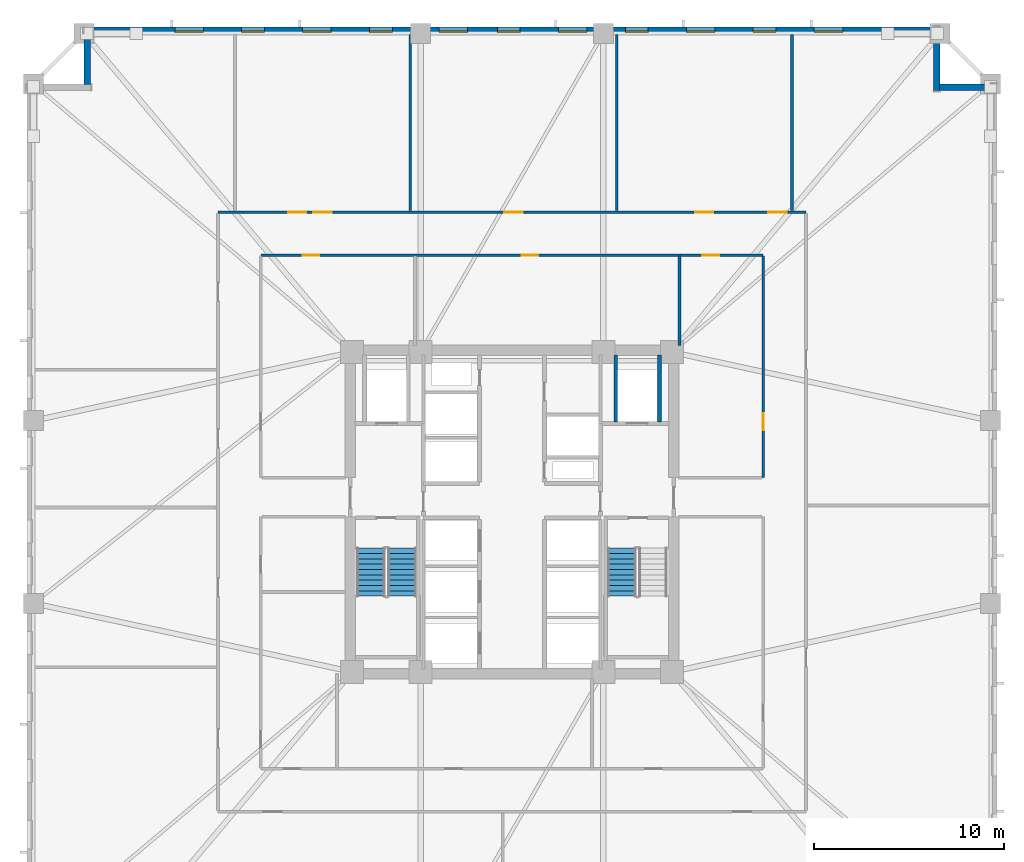
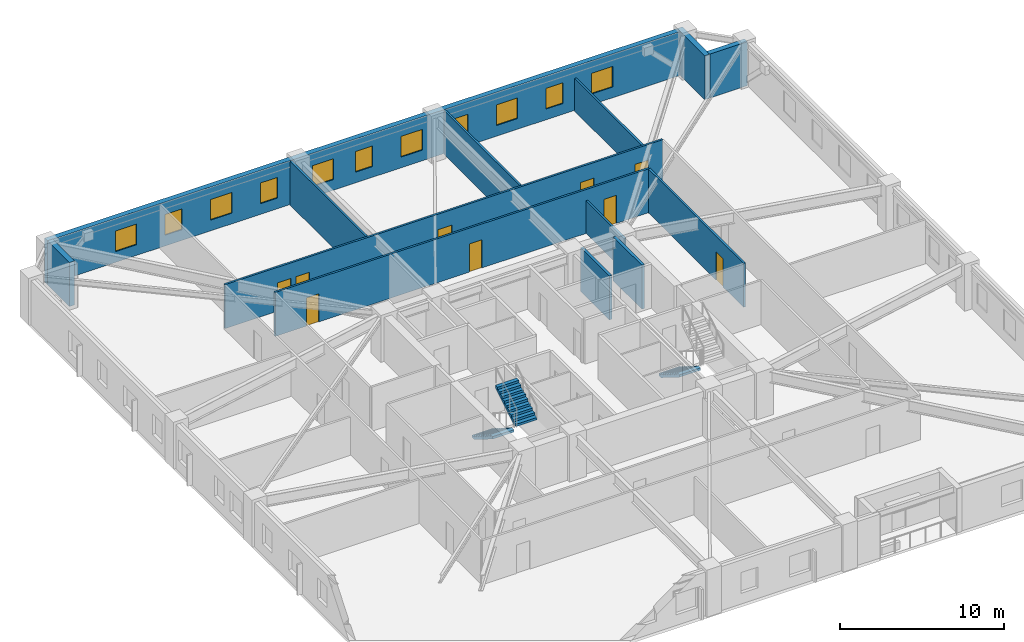
# One storey, part 5 of 11: 13 walls, 11 windows, 9 doors, 3 stair flights, 20 openings, 2 elements without a shape of their own.
"""IFC4 building model written with IfcOpenShell, lengths in metres."""

from ifc_helpers import new_model, si_unit, direction, frame, frame_2d, origin, place, context, subcontext, project, spatial, polyline, rectangle, outline, extrude, material, layer, layer_set, type_object, element, fill, aggregate, save


model = new_model("IFC4")

# Units and contexts
model_context = context("Model", 3, precision=1e-05, world=origin(), true_north=direction((0.0, 1.0)))
body_context = subcontext(model_context, "Body", "Model", "MODEL_VIEW")
ifc_project = project(units=[si_unit("LENGTHUNIT", "METRE"), si_unit("AREAUNIT", "SQUARE_METRE"), si_unit("VOLUMEUNIT", "CUBIC_METRE"), si_unit("PLANEANGLEUNIT", "RADIAN"), si_unit("MASSUNIT", "GRAM", prefix="KILO")], contexts=[model_context])

# Site, building, storey
site_placement = place(None, origin())
site = spatial("IfcSite", under=ifc_project, at=site_placement, CompositionType="ELEMENT")
building_placement = place(site_placement, origin())
building = spatial("IfcBuilding", under=site, at=building_placement, Name="Cairnveth Concourse Tower", CompositionType="ELEMENT")
storey_placement = place(building_placement, frame((0.0, 0.0, 51.5)))
storey = spatial("IfcBuildingStorey", under=building, at=storey_placement, Name="L13", CompositionType="ELEMENT", Elevation=51.5)

# Walls
ifc_material_1 = material(Name="Concrete N50 (50 MPa)", Category="concrete")
ifc_layer_1 = layer(ifc_material_1, 0.199951171875)
ifc_layer_set_1 = layer_set([ifc_layer_1], Name="Concrete N50 (50 MPa)")
wall_type_1 = type_object("IfcWallType", Name="FIRE SHAFT WALL 200", PredefinedType="SOLIDWALL", material=ifc_layer_set_1)
for number, where, z_axis, x_axis, name in (
    (1, (57.449951171875, 43.735107421875, 0.0), (0.0, 0.0, 1.0), (0.0, 1.0, 0.0), "Interior Wall IW-L13-023"),
    (2, (59.75, 43.735107421875, 0.0), (0.0, 0.0, 1.0), (0.0, 1.0, 0.0), "Interior Wall IW-L13-024"),
):
    element("IfcWall", number, at=place(storey_placement, frame(where, z_axis=z_axis, x_axis=x_axis)), inside=storey, type_object=wall_type_1, Name=name, PredefinedType="SOLIDWALL", context=body_context, shape_type="SweptSolid", body=[
        extrude(rectangle(XDim=3.5048828125, YDim=0.199951171875, at=frame_2d((1.75244140625, 0.0))), origin(), (0.0, 0.0, 1.0), 3.280029296875),
    ])

# Wall, openings, doors
ifc_material_2 = material(Name="Gypsum Plasterboard Partition", Category="gypsum")
ifc_layer_2 = layer(ifc_material_2, 0.139892578125)
ifc_layer_set_2 = layer_set([ifc_layer_2], Name="Gypsum Plasterboard Partition")
wall_type_2 = type_object("IfcWallType", Name="GYPSUM STUD PARTITION 140", PredefinedType="PARTITIONING", material=ifc_layer_set_2)
wall_1_placement = place(storey_placement, frame((36.550048828125, 54.75, 0.0), z_axis=(0.0, 0.0, 1.0), x_axis=(1.0, 0.0, 0.0)))
wall_1 = element("IfcWall", 3, at=wall_1_placement, inside=storey, type_object=wall_type_2, Name="Interior Wall IW-L13-038", PredefinedType="PARTITIONING", context=body_context, shape_type="SweptSolid", body=[
    extrude(rectangle(XDim=30.89990234375, YDim=0.139892578125, at=frame_2d((15.449951171875, 0.0))), origin(), (0.0, 0.0, 1.0), 3.280029296875),
])
opening_1_placement = place(wall_1_placement, frame((3.690185546875, 0.0, 0.0)))
opening_1 = element("IfcOpeningElement", 4, at=opening_1_placement, cuts=wall_1, Name="Opening ID11", PredefinedType="OPENING", context=body_context, shape_type="SweptSolid", body=[
    extrude(rectangle(XDim=0.9599609375, YDim=2.1201171875, at=frame_2d((0.47998046875, 1.06005859375))), frame((0.0, 0.079833984375, 0.0), z_axis=(0.0, -1.0, 0.0), x_axis=(1.0, 0.0, 0.0)), (0.0, 0.0, 1.0), 0.159912109375),
])
opening_2_placement = place(wall_1_placement, frame((5.012939453125, 0.0, 0.0)))
opening_2 = element("IfcOpeningElement", 5, at=opening_2_placement, cuts=wall_1, Name="Opening ID11", PredefinedType="OPENING", context=body_context, shape_type="SweptSolid", body=[
    extrude(rectangle(XDim=0.9599609375, YDim=2.1201171875, at=frame_2d((0.47998046875, 1.06005859375))), frame((0.0, 0.079833984375, 0.0), z_axis=(0.0, -1.0, 0.0), x_axis=(1.0, 0.0, 0.0)), (0.0, 0.0, 1.0), 0.159912109375),
])
opening_3_placement = place(wall_1_placement, frame((15.044921875, 0.0, 0.0)))
opening_3 = element("IfcOpeningElement", 6, at=opening_3_placement, cuts=wall_1, Name="Opening ID11", PredefinedType="OPENING", context=body_context, shape_type="SweptSolid", body=[
    extrude(rectangle(XDim=0.9599609375, YDim=2.1201171875, at=frame_2d((0.47998046875, 1.06005859375))), frame((0.0, 0.079833984375, 0.0), z_axis=(0.0, -1.0, 0.0), x_axis=(1.0, 0.0, 0.0)), (0.0, 0.0, 1.0), 0.159912109375),
])
opening_4_placement = place(wall_1_placement, frame((25.076904296875, 0.0, 0.0)))
opening_4 = element("IfcOpeningElement", 7, at=opening_4_placement, cuts=wall_1, Name="Opening ID11", PredefinedType="OPENING", context=body_context, shape_type="SweptSolid", body=[
    extrude(rectangle(XDim=0.9599609375, YDim=2.1201171875, at=frame_2d((0.47998046875, 1.06005859375))), frame((0.0, 0.079833984375, 0.0), z_axis=(0.0, -1.0, 0.0), x_axis=(1.0, 0.0, 0.0)), (0.0, 0.0, 1.0), 0.159912109375),
])
opening_5_placement = place(wall_1_placement, frame((28.919921875, 0.0, 0.0)))
opening_5 = element("IfcOpeningElement", 8, at=opening_5_placement, cuts=wall_1, Name="Opening ID11", PredefinedType="OPENING", context=body_context, shape_type="SweptSolid", body=[
    extrude(rectangle(XDim=0.9599609375, YDim=2.1201171875, at=frame_2d((0.47998046875, 1.06005859375))), frame((0.0, 0.079833984375, 0.0), z_axis=(0.0, -1.0, 0.0), x_axis=(1.0, 0.0, 0.0)), (0.0, 0.0, 1.0), 0.159912109375),
])
ifc_material_3 = material(Name="Solid Core Hardwood Timber Leaf", Category="wood")
door_type_1 = type_object("IfcDoorType", Name="INTERIOR SINGLE DOOR 960X2150", OperationType="NOTDEFINED", PredefinedType="DOOR", material=ifc_material_3)
door_1_placement = place(opening_1_placement, origin())
door_1 = element("IfcDoor", 9, at=door_1_placement, inside=storey, type_object=door_type_1, Name="Office Door L13-N1", OperationType="SINGLE_SWING_RIGHT", OverallHeight=2.1201171875, OverallWidth=0.9599609375, PredefinedType="DOOR", context=body_context, shape_type="SweptSolid", body=[
    extrude(rectangle(XDim=0.9599609375, YDim=2.1201171875, at=frame_2d((0.47998046875, 1.06005859375))), frame((0.0, 0.02490234375, 0.0), z_axis=(0.0, -1.0, 0.0), x_axis=(1.0, 0.0, 0.0)), (0.0, 0.0, 1.0), 0.050048828125),
])
fill(opening_1, door_1)
door_2_placement = place(opening_2_placement, origin())
door_2 = element("IfcDoor", 10, at=door_2_placement, inside=storey, type_object=door_type_1, Name="Office Door L13-N2", OperationType="SINGLE_SWING_LEFT", OverallHeight=2.1201171875, OverallWidth=0.9599609375, PredefinedType="DOOR", context=body_context, shape_type="SweptSolid", body=[
    extrude(rectangle(XDim=0.9599609375, YDim=2.1201171875, at=frame_2d((0.47998046875, 1.06005859375))), frame((0.0, 0.02490234375, 0.0), z_axis=(0.0, -1.0, 0.0), x_axis=(1.0, 0.0, 0.0)), (0.0, 0.0, 1.0), 0.050048828125),
])
fill(opening_2, door_2)
door_3_placement = place(opening_3_placement, origin())
door_3 = element("IfcDoor", 11, at=door_3_placement, inside=storey, type_object=door_type_1, Name="Office Door L13-N3", OperationType="SINGLE_SWING_RIGHT", OverallHeight=2.1201171875, OverallWidth=0.9599609375, PredefinedType="DOOR", context=body_context, shape_type="SweptSolid", body=[
    extrude(rectangle(XDim=0.9599609375, YDim=2.1201171875, at=frame_2d((0.47998046875, 1.06005859375))), frame((0.0, 0.02490234375, 0.0), z_axis=(0.0, -1.0, 0.0), x_axis=(1.0, 0.0, 0.0)), (0.0, 0.0, 1.0), 0.050048828125),
])
fill(opening_3, door_3)
door_4_placement = place(opening_4_placement, origin())
door_4 = element("IfcDoor", 12, at=door_4_placement, inside=storey, type_object=door_type_1, Name="Office Door L13-N4", OperationType="SINGLE_SWING_LEFT", OverallHeight=2.1201171875, OverallWidth=0.9599609375, PredefinedType="DOOR", context=body_context, shape_type="SweptSolid", body=[
    extrude(rectangle(XDim=0.9599609375, YDim=2.1201171875, at=frame_2d((0.47998046875, 1.06005859375))), frame((0.0, 0.02490234375, 0.0), z_axis=(0.0, -1.0, 0.0), x_axis=(1.0, 0.0, 0.0)), (0.0, 0.0, 1.0), 0.050048828125),
])
fill(opening_4, door_4)
door_5_placement = place(opening_5_placement, origin())
door_5 = element("IfcDoor", 13, at=door_5_placement, inside=storey, type_object=door_type_1, Name="Office Door L13-N5", OperationType="SINGLE_SWING_RIGHT", OverallHeight=2.1201171875, OverallWidth=0.9599609375, PredefinedType="DOOR", context=body_context, shape_type="SweptSolid", body=[
    extrude(rectangle(XDim=0.9599609375, YDim=2.1201171875, at=frame_2d((0.47998046875, 1.06005859375))), frame((0.0, 0.02490234375, 0.0), z_axis=(0.0, -1.0, 0.0), x_axis=(1.0, 0.0, 0.0)), (0.0, 0.0, 1.0), 0.050048828125),
])
fill(opening_5, door_5)

wall_2_placement = place(storey_placement, frame((38.800048828125, 52.5, 0.0), z_axis=(0.0, 0.0, 1.0), x_axis=(1.0, 0.0, 0.0)))
wall_2 = element("IfcWall", 14, at=wall_2_placement, inside=storey, type_object=wall_type_2, Name="Interior Wall IW-L13-042", PredefinedType="PARTITIONING", context=body_context, shape_type="SweptSolid", body=[
    extrude(rectangle(XDim=26.39990234375, YDim=0.139892578125, at=frame_2d((13.199951171875, 0.0))), origin(), (0.0, 0.0, 1.0), 3.280029296875),
])
opening_6_placement = place(wall_2_placement, frame((2.199951171875, 0.0, 0.0)))
opening_6 = element("IfcOpeningElement", 15, at=opening_6_placement, cuts=wall_2, Name="Opening ID18", PredefinedType="OPENING", context=body_context, shape_type="SweptSolid", body=[
    extrude(rectangle(XDim=0.8798828125, YDim=2.10009765625, at=frame_2d((0.43994140625, 1.050048828125))), frame((0.0, 0.079833984375, 0.0), z_axis=(0.0, -1.0, 0.0), x_axis=(1.0, 0.0, 0.0)), (0.0, 0.0, 1.0), 0.159912109375),
])
opening_7_placement = place(wall_2_placement, frame((13.699951171875, 0.0, 0.0)))
opening_7 = element("IfcOpeningElement", 16, at=opening_7_placement, cuts=wall_2, Name="Opening ID18", PredefinedType="OPENING", context=body_context, shape_type="SweptSolid", body=[
    extrude(rectangle(XDim=0.8798828125, YDim=2.10009765625, at=frame_2d((0.43994140625, 1.050048828125))), frame((0.0, 0.079833984375, 0.0), z_axis=(0.0, -1.0, 0.0), x_axis=(1.0, 0.0, 0.0)), (0.0, 0.0, 1.0), 0.159912109375),
])
opening_8_placement = place(wall_2_placement, frame((23.199951171875, 0.0, 0.0)))
opening_8 = element("IfcOpeningElement", 17, at=opening_8_placement, cuts=wall_2, Name="Opening ID18", PredefinedType="OPENING", context=body_context, shape_type="SweptSolid", body=[
    extrude(rectangle(XDim=0.8798828125, YDim=2.10009765625, at=frame_2d((0.43994140625, 1.050048828125))), frame((0.0, 0.079833984375, 0.0), z_axis=(0.0, -1.0, 0.0), x_axis=(1.0, 0.0, 0.0)), (0.0, 0.0, 1.0), 0.159912109375),
])
door_type_2 = type_object("IfcDoorType", Name="INTERIOR SINGLE DOOR 880X2100", OperationType="NOTDEFINED", PredefinedType="DOOR", material=ifc_material_3)
door_6_placement = place(opening_6_placement, origin())
door_6 = element("IfcDoor", 18, at=door_6_placement, inside=storey, type_object=door_type_2, Name="Interior Door DR-L13-016", OperationType="SINGLE_SWING_RIGHT", OverallHeight=2.10009765625, OverallWidth=0.8798828125, PredefinedType="DOOR", context=body_context, shape_type="SweptSolid", body=[
    extrude(rectangle(XDim=0.8798828125, YDim=2.10009765625, at=frame_2d((0.43994140625, 1.050048828125))), frame((0.0, 0.02490234375, 0.0), z_axis=(0.0, -1.0, 0.0), x_axis=(1.0, 0.0, 0.0)), (0.0, 0.0, 1.0), 0.050048828125),
])
fill(opening_6, door_6)
door_7_placement = place(opening_7_placement, origin())
door_7 = element("IfcDoor", 19, at=door_7_placement, inside=storey, type_object=door_type_2, Name="Interior Door DR-L13-017", OperationType="SINGLE_SWING_LEFT", OverallHeight=2.10009765625, OverallWidth=0.8798828125, PredefinedType="DOOR", context=body_context, shape_type="SweptSolid", body=[
    extrude(rectangle(XDim=0.8798828125, YDim=2.10009765625, at=frame_2d((0.43994140625, 1.050048828125))), frame((0.0, 0.02490234375, 0.0), z_axis=(0.0, -1.0, 0.0), x_axis=(1.0, 0.0, 0.0)), (0.0, 0.0, 1.0), 0.050048828125),
])
fill(opening_7, door_7)
door_8_placement = place(opening_8_placement, origin())
door_8 = element("IfcDoor", 20, at=door_8_placement, inside=storey, type_object=door_type_2, Name="Interior Door DR-L13-018", OperationType="SINGLE_SWING_RIGHT", OverallHeight=2.10009765625, OverallWidth=0.8798828125, PredefinedType="DOOR", context=body_context, shape_type="SweptSolid", body=[
    extrude(rectangle(XDim=0.8798828125, YDim=2.10009765625, at=frame_2d((0.43994140625, 1.050048828125))), frame((0.0, 0.02490234375, 0.0), z_axis=(0.0, -1.0, 0.0), x_axis=(1.0, 0.0, 0.0)), (0.0, 0.0, 1.0), 0.050048828125),
])
fill(opening_8, door_8)

# Wall, opening, door
wall_3_placement = place(storey_placement, frame((65.199951171875, 40.800048828125, 0.0), z_axis=(0.0, 0.0, 1.0), x_axis=(0.0, 1.0, 0.0)))
wall_3 = element("IfcWall", 21, at=wall_3_placement, inside=storey, type_object=wall_type_2, Name="Interior Wall IW-L13-048", PredefinedType="PARTITIONING", context=body_context, shape_type="SweptSolid", body=[
    extrude(rectangle(XDim=11.64501953125, YDim=0.139892578125, at=frame_2d((5.822509765625, 0.0))), origin(), (0.0, 0.0, 1.0), 3.280029296875),
])
opening_9_placement = place(wall_3_placement, frame((2.5, 0.0, 0.0)))
opening_9 = element("IfcOpeningElement", 22, at=opening_9_placement, cuts=wall_3, Name="Opening ID18", PredefinedType="OPENING", context=body_context, shape_type="SweptSolid", body=[
    extrude(rectangle(XDim=0.8798828125, YDim=2.10009765625, at=frame_2d((0.43994140625, 1.050048828125))), frame((0.0, 0.079833984375, 0.0), z_axis=(0.0, -1.0, 0.0), x_axis=(1.0, 0.0, 0.0)), (0.0, 0.0, 1.0), 0.159912109375),
])
door_9_placement = place(opening_9_placement, origin())
door_9 = element("IfcDoor", 23, at=door_9_placement, inside=storey, type_object=door_type_2, Name="Interior Door DR-L13-023", OperationType="SINGLE_SWING_LEFT", OverallHeight=2.10009765625, OverallWidth=0.8798828125, PredefinedType="DOOR", context=body_context, shape_type="SweptSolid", body=[
    extrude(rectangle(XDim=0.8798828125, YDim=2.10009765625, at=frame_2d((0.43994140625, 1.050048828125))), frame((0.0, 0.02490234375, 0.0), z_axis=(0.0, -1.0, 0.0), x_axis=(1.0, 0.0, 0.0)), (0.0, 0.0, 1.0), 0.050048828125),
])
fill(opening_9, door_9)

# Walls
wall_4_placement = place(storey_placement, frame((60.800048828125, 47.760009765625, 0.0), z_axis=(0.0, 0.0, 1.0), x_axis=(0.0, 1.0, 0.0)))
element("IfcWall", 24, at=wall_4_placement, inside=storey, type_object=wall_type_2, Name="Interior Wall IW-L13-054", PredefinedType="PARTITIONING", context=body_context, shape_type="SweptSolid", body=[
    extrude(rectangle(XDim=4.68505859375, YDim=0.139892578125, at=frame_2d((2.342529296875, 0.0))), origin(), (0.0, 0.0, 1.0), 2.43896484375),
])
for number, where, z_axis, x_axis, name in (
    (25, (46.646484375, 54.85009765625, 0.0), (0.0, 0.0, 1.0), (0.0, 1.0, 0.0), "Interior Wall IW-L13-058"),
    (26, (57.50341796875, 54.85009765625, 0.0), (0.0, 0.0, 1.0), (0.0, 1.0, 0.0), "Interior Wall IW-L13-059"),
):
    element("IfcWall", number, at=place(storey_placement, frame(where, z_axis=z_axis, x_axis=x_axis)), inside=storey, type_object=wall_type_2, Name=name, PredefinedType="PARTITIONING", context=body_context, shape_type="SweptSolid", body=[
        extrude(rectangle(XDim=9.22998046875, YDim=0.139892578125, at=frame_2d((4.614990234375, 0.0))), origin(), (0.0, 0.0, 1.0), 3.280029296875),
    ])
wall_5_placement = place(storey_placement, frame((66.71044921875, 54.85009765625, 0.0), z_axis=(0.0, 0.0, 1.0), x_axis=(0.0, 1.0, 0.0)))
element("IfcWall", 27, at=wall_5_placement, inside=storey, type_object=wall_type_2, Name="Interior Wall IW-L13-060", PredefinedType="PARTITIONING", context=body_context, shape_type="SweptSolid", body=[
    extrude(rectangle(XDim=9.22998046875, YDim=0.139892578125, at=frame_2d((4.614990234375, 0.0))), origin(), (0.0, 0.0, 1.0), 2.43896484375),
])
ifc_material_4 = material(Name="Hawthorn Red-Ochre Fired Clay Brick Masonry", Category="masonry")
ifc_layer_3 = layer(ifc_material_4, 0.360107421875)
ifc_layer_set_3 = layer_set([ifc_layer_3], Name="Hawthorn Red-Ochre Fired Clay Brick Masonry")
wall_type_3 = type_object("IfcWallType", Name="ZONE 1 BRICK PIER SPANDREL WALL 360", PredefinedType="SOLIDWALL", material=ifc_layer_set_3)
wall_6_placement = place(storey_placement, frame((29.679931640625, 61.47802734375, 0.0), z_axis=(0.0, 0.0, 1.0), x_axis=(0.0, 1.0, 0.0)))
element("IfcWall", 28, at=wall_6_placement, inside=storey, type_object=wall_type_3, Name="Exterior Wall EW-L13-S05", PredefinedType="SOLIDWALL", context=body_context, shape_type="SweptSolid", body=[
    extrude(rectangle(XDim=2.68408203125, YDim=0.360107421875, at=frame_2d((1.342041015625, 0.0))), origin(), (0.0, 0.0, 1.0), 3.280029296875),
])

# Wall, openings, windows
wall_7_placement = place(storey_placement, frame((29.5, 64.320068359375, 0.0), z_axis=(0.0, 0.0, 1.0), x_axis=(1.0, 0.0, 0.0)))
wall_7 = element("IfcWall", 29, at=wall_7_placement, inside=storey, type_object=wall_type_3, Name="Exterior Wall EW-L13-S06", PredefinedType="SOLIDWALL", context=body_context, shape_type="SweptSolid", body=[
    extrude(rectangle(XDim=44.662109375, YDim=0.360107421875, at=frame_2d((22.3310546875, 0.0))), origin(), (0.0, 0.0, 1.0), 3.280029296875),
])
opening_10_placement = place(wall_7_placement, frame((4.780029296875, 0.0, 0.800048828125)))
opening_10 = element("IfcOpeningElement", 30, at=opening_10_placement, cuts=wall_7, Name="Opening W03", PredefinedType="OPENING", context=body_context, shape_type="SweptSolid", body=[
    extrude(rectangle(XDim=1.5, YDim=1.5439453125, at=frame_2d((0.75, 0.77197265625))), frame((0.0, 0.18994140625, 0.0), z_axis=(0.0, -1.0, 0.0), x_axis=(1.0, 0.0, 0.0)), (0.0, 0.0, 1.0), 0.380126953125),
])
opening_11_placement = place(wall_7_placement, frame((8.290283203125, 0.0, 0.800048828125)))
opening_11 = element("IfcOpeningElement", 31, at=opening_11_placement, cuts=wall_7, Name="Opening W01", PredefinedType="OPENING", context=body_context, shape_type="SweptSolid", body=[
    extrude(rectangle(XDim=1.199951171875, YDim=1.5439453125, at=frame_2d((0.60009765625, 0.77197265625))), frame((0.0, 0.18994140625, 0.0), z_axis=(0.0, -1.0, 0.0), x_axis=(1.0, 0.0, 0.0)), (0.0, 0.0, 1.0), 0.380126953125),
])
opening_12_placement = place(wall_7_placement, frame((11.50048828125, 0.0, 0.800048828125)))
opening_12 = element("IfcOpeningElement", 32, at=opening_12_placement, cuts=wall_7, Name="Opening W03", PredefinedType="OPENING", context=body_context, shape_type="SweptSolid", body=[
    extrude(rectangle(XDim=1.5, YDim=1.5439453125, at=frame_2d((0.75, 0.77197265625))), frame((0.0, 0.18994140625, 0.0), z_axis=(0.0, -1.0, 0.0), x_axis=(1.0, 0.0, 0.0)), (0.0, 0.0, 1.0), 0.380126953125),
])
opening_13_placement = place(wall_7_placement, frame((15.010498046875, 0.0, 0.800048828125)))
opening_13 = element("IfcOpeningElement", 33, at=opening_13_placement, cuts=wall_7, Name="Opening W01", PredefinedType="OPENING", context=body_context, shape_type="SweptSolid", body=[
    extrude(rectangle(XDim=1.199951171875, YDim=1.5439453125, at=frame_2d((0.60009765625, 0.77197265625))), frame((0.0, 0.18994140625, 0.0), z_axis=(0.0, -1.0, 0.0), x_axis=(1.0, 0.0, 0.0)), (0.0, 0.0, 1.0), 0.380126953125),
])
opening_14_placement = place(wall_7_placement, frame((18.6708984375, 0.0, 0.800048828125)))
opening_14 = element("IfcOpeningElement", 34, at=opening_14_placement, cuts=wall_7, Name="Opening W03", PredefinedType="OPENING", context=body_context, shape_type="SweptSolid", body=[
    extrude(rectangle(XDim=1.5, YDim=1.5439453125, at=frame_2d((0.75, 0.77197265625))), frame((0.0, 0.18994140625, 0.0), z_axis=(0.0, -1.0, 0.0), x_axis=(1.0, 0.0, 0.0)), (0.0, 0.0, 1.0), 0.380126953125),
])
opening_15_placement = place(wall_7_placement, frame((21.73095703125, 0.0, 0.800048828125)))
opening_15 = element("IfcOpeningElement", 35, at=opening_15_placement, cuts=wall_7, Name="Opening W01", PredefinedType="OPENING", context=body_context, shape_type="SweptSolid", body=[
    extrude(rectangle(XDim=1.199951171875, YDim=1.5439453125, at=frame_2d((0.60009765625, 0.77197265625))), frame((0.0, 0.18994140625, 0.0), z_axis=(0.0, -1.0, 0.0), x_axis=(1.0, 0.0, 0.0)), (0.0, 0.0, 1.0), 0.380126953125),
])
opening_16_placement = place(wall_7_placement, frame((24.941162109375, 0.0, 0.800048828125)))
opening_16 = element("IfcOpeningElement", 36, at=opening_16_placement, cuts=wall_7, Name="Opening W03", PredefinedType="OPENING", context=body_context, shape_type="SweptSolid", body=[
    extrude(rectangle(XDim=1.5, YDim=1.5439453125, at=frame_2d((0.75, 0.77197265625))), frame((0.0, 0.18994140625, 0.0), z_axis=(0.0, -1.0, 0.0), x_axis=(1.0, 0.0, 0.0)), (0.0, 0.0, 1.0), 0.380126953125),
])
opening_17_placement = place(wall_7_placement, frame((28.451416015625, 0.0, 0.800048828125)))
opening_17 = element("IfcOpeningElement", 37, at=opening_17_placement, cuts=wall_7, Name="Opening W01", PredefinedType="OPENING", context=body_context, shape_type="SweptSolid", body=[
    extrude(rectangle(XDim=1.199951171875, YDim=1.5439453125, at=frame_2d((0.60009765625, 0.77197265625))), frame((0.0, 0.18994140625, 0.0), z_axis=(0.0, -1.0, 0.0), x_axis=(1.0, 0.0, 0.0)), (0.0, 0.0, 1.0), 0.380126953125),
])
opening_18_placement = place(wall_7_placement, frame((31.66162109375, 0.0, 0.800048828125)))
opening_18 = element("IfcOpeningElement", 38, at=opening_18_placement, cuts=wall_7, Name="Opening W03", PredefinedType="OPENING", context=body_context, shape_type="SweptSolid", body=[
    extrude(rectangle(XDim=1.5, YDim=1.5439453125, at=frame_2d((0.75, 0.77197265625))), frame((0.0, 0.18994140625, 0.0), z_axis=(0.0, -1.0, 0.0), x_axis=(1.0, 0.0, 0.0)), (0.0, 0.0, 1.0), 0.380126953125),
])
opening_19_placement = place(wall_7_placement, frame((35.171630859375, 0.0, 0.800048828125)))
opening_19 = element("IfcOpeningElement", 39, at=opening_19_placement, cuts=wall_7, Name="Opening W01", PredefinedType="OPENING", context=body_context, shape_type="SweptSolid", body=[
    extrude(rectangle(XDim=1.199951171875, YDim=1.5439453125, at=frame_2d((0.60009765625, 0.77197265625))), frame((0.0, 0.18994140625, 0.0), z_axis=(0.0, -1.0, 0.0), x_axis=(1.0, 0.0, 0.0)), (0.0, 0.0, 1.0), 0.380126953125),
])
opening_20_placement = place(wall_7_placement, frame((38.3818359375, 0.0, 0.800048828125)))
opening_20 = element("IfcOpeningElement", 40, at=opening_20_placement, cuts=wall_7, Name="Opening W03", PredefinedType="OPENING", context=body_context, shape_type="SweptSolid", body=[
    extrude(rectangle(XDim=1.5, YDim=1.5439453125, at=frame_2d((0.75, 0.77197265625))), frame((0.0, 0.18994140625, 0.0), z_axis=(0.0, -1.0, 0.0), x_axis=(1.0, 0.0, 0.0)), (0.0, 0.0, 1.0), 0.380126953125),
])
ifc_material_5 = material(Name="Double Glazed Low-E Clear Glass", Category="glass")
window_type_1 = type_object("IfcWindowType", Name="DEEP-SET GOTHIC LANCET WINDOW 1200X1800", PartitioningType="DOUBLE_PANEL_VERTICAL", PredefinedType="WINDOW", material=ifc_material_5)
window_1_placement = place(opening_11_placement, origin())
window_1 = element("IfcWindow", 41, at=window_1_placement, inside=storey, type_object=window_type_1, Name="Gothic Lancet Window L13-6-2", OverallHeight=1.5439453125, OverallWidth=1.199951171875, PartitioningType="SINGLE_PANEL", PredefinedType="WINDOW", context=body_context, shape_type="SweptSolid", body=[
    extrude(rectangle(XDim=1.199951171875, YDim=1.5439453125, at=frame_2d((0.60009765625, 0.77197265625))), frame((0.0, -0.050048828125, 0.0), z_axis=(0.0, -1.0, 0.0), x_axis=(1.0, 0.0, 0.0)), (0.0, 0.0, 1.0), 0.06005859375),
])
fill(opening_11, window_1)
window_2_placement = place(opening_13_placement, origin())
window_2 = element("IfcWindow", 42, at=window_2_placement, inside=storey, type_object=window_type_1, Name="Gothic Lancet Window L13-6-4", OverallHeight=1.5439453125, OverallWidth=1.199951171875, PartitioningType="SINGLE_PANEL", PredefinedType="WINDOW", context=body_context, shape_type="SweptSolid", body=[
    extrude(rectangle(XDim=1.199951171875, YDim=1.5439453125, at=frame_2d((0.60009765625, 0.77197265625))), frame((0.0, -0.050048828125, 0.0), z_axis=(0.0, -1.0, 0.0), x_axis=(1.0, 0.0, 0.0)), (0.0, 0.0, 1.0), 0.06005859375),
])
fill(opening_13, window_2)
window_3_placement = place(opening_15_placement, origin())
window_3 = element("IfcWindow", 43, at=window_3_placement, inside=storey, type_object=window_type_1, Name="Gothic Lancet Window L13-6-6", OverallHeight=1.5439453125, OverallWidth=1.199951171875, PartitioningType="SINGLE_PANEL", PredefinedType="WINDOW", context=body_context, shape_type="SweptSolid", body=[
    extrude(rectangle(XDim=1.199951171875, YDim=1.5439453125, at=frame_2d((0.60009765625, 0.77197265625))), frame((0.0, -0.050048828125, 0.0), z_axis=(0.0, -1.0, 0.0), x_axis=(1.0, 0.0, 0.0)), (0.0, 0.0, 1.0), 0.06005859375),
])
fill(opening_15, window_3)
window_4_placement = place(opening_17_placement, origin())
window_4 = element("IfcWindow", 44, at=window_4_placement, inside=storey, type_object=window_type_1, Name="Gothic Lancet Window L13-6-8", OverallHeight=1.5439453125, OverallWidth=1.199951171875, PartitioningType="SINGLE_PANEL", PredefinedType="WINDOW", context=body_context, shape_type="SweptSolid", body=[
    extrude(rectangle(XDim=1.199951171875, YDim=1.5439453125, at=frame_2d((0.60009765625, 0.77197265625))), frame((0.0, -0.050048828125, 0.0), z_axis=(0.0, -1.0, 0.0), x_axis=(1.0, 0.0, 0.0)), (0.0, 0.0, 1.0), 0.06005859375),
])
fill(opening_17, window_4)
window_5_placement = place(opening_19_placement, origin())
window_5 = element("IfcWindow", 45, at=window_5_placement, inside=storey, type_object=window_type_1, Name="Gothic Lancet Window L13-6-10", OverallHeight=1.5439453125, OverallWidth=1.199951171875, PartitioningType="SINGLE_PANEL", PredefinedType="WINDOW", context=body_context, shape_type="SweptSolid", body=[
    extrude(rectangle(XDim=1.199951171875, YDim=1.5439453125, at=frame_2d((0.60009765625, 0.77197265625))), frame((0.0, -0.050048828125, 0.0), z_axis=(0.0, -1.0, 0.0), x_axis=(1.0, 0.0, 0.0)), (0.0, 0.0, 1.0), 0.06005859375),
])
fill(opening_19, window_5)
window_type_2 = type_object("IfcWindowType", Name="DEEP-SET GOTHIC LANCET WINDOW 1500X1800", PartitioningType="DOUBLE_PANEL_VERTICAL", PredefinedType="WINDOW", material=ifc_material_5)
window_6_placement = place(opening_10_placement, origin())
window_6 = element("IfcWindow", 46, at=window_6_placement, inside=storey, type_object=window_type_2, Name="Gothic Lancet Window L13-6-1", OverallHeight=1.5439453125, OverallWidth=1.5, PartitioningType="SINGLE_PANEL", PredefinedType="WINDOW", context=body_context, shape_type="SweptSolid", body=[
    extrude(rectangle(XDim=1.5, YDim=1.5439453125, at=frame_2d((0.75, 0.77197265625))), frame((0.0, -0.050048828125, 0.0), z_axis=(0.0, -1.0, 0.0), x_axis=(1.0, 0.0, 0.0)), (0.0, 0.0, 1.0), 0.06005859375),
])
fill(opening_10, window_6)
window_7_placement = place(opening_12_placement, origin())
window_7 = element("IfcWindow", 47, at=window_7_placement, inside=storey, type_object=window_type_2, Name="Gothic Lancet Window L13-6-3", OverallHeight=1.5439453125, OverallWidth=1.5, PartitioningType="SINGLE_PANEL", PredefinedType="WINDOW", context=body_context, shape_type="SweptSolid", body=[
    extrude(rectangle(XDim=1.5, YDim=1.5439453125, at=frame_2d((0.75, 0.77197265625))), frame((0.0, -0.050048828125, 0.0), z_axis=(0.0, -1.0, 0.0), x_axis=(1.0, 0.0, 0.0)), (0.0, 0.0, 1.0), 0.06005859375),
])
fill(opening_12, window_7)
window_8_placement = place(opening_14_placement, origin())
window_8 = element("IfcWindow", 48, at=window_8_placement, inside=storey, type_object=window_type_2, Name="Gothic Lancet Window L13-6-5", OverallHeight=1.5439453125, OverallWidth=1.5, PartitioningType="SINGLE_PANEL", PredefinedType="WINDOW", context=body_context, shape_type="SweptSolid", body=[
    extrude(rectangle(XDim=1.5, YDim=1.5439453125, at=frame_2d((0.75, 0.77197265625))), frame((0.0, -0.050048828125, 0.0), z_axis=(0.0, -1.0, 0.0), x_axis=(1.0, 0.0, 0.0)), (0.0, 0.0, 1.0), 0.06005859375),
])
fill(opening_14, window_8)
window_9_placement = place(opening_16_placement, origin())
window_9 = element("IfcWindow", 49, at=window_9_placement, inside=storey, type_object=window_type_2, Name="Gothic Lancet Window L13-6-7", OverallHeight=1.5439453125, OverallWidth=1.5, PartitioningType="SINGLE_PANEL", PredefinedType="WINDOW", context=body_context, shape_type="SweptSolid", body=[
    extrude(rectangle(XDim=1.5, YDim=1.5439453125, at=frame_2d((0.75, 0.77197265625))), frame((0.0, -0.050048828125, 0.0), z_axis=(0.0, -1.0, 0.0), x_axis=(1.0, 0.0, 0.0)), (0.0, 0.0, 1.0), 0.06005859375),
])
fill(opening_16, window_9)
window_10_placement = place(opening_18_placement, origin())
window_10 = element("IfcWindow", 50, at=window_10_placement, inside=storey, type_object=window_type_2, Name="Gothic Lancet Window L13-6-9", OverallHeight=1.5439453125, OverallWidth=1.5, PartitioningType="SINGLE_PANEL", PredefinedType="WINDOW", context=body_context, shape_type="SweptSolid", body=[
    extrude(rectangle(XDim=1.5, YDim=1.5439453125, at=frame_2d((0.75, 0.77197265625))), frame((0.0, -0.050048828125, 0.0), z_axis=(0.0, -1.0, 0.0), x_axis=(1.0, 0.0, 0.0)), (0.0, 0.0, 1.0), 0.06005859375),
])
fill(opening_18, window_10)
window_11_placement = place(opening_20_placement, origin())
window_11 = element("IfcWindow", 51, at=window_11_placement, inside=storey, type_object=window_type_2, Name="Gothic Lancet Window L13-6-11", OverallHeight=1.5439453125, OverallWidth=1.5, PartitioningType="SINGLE_PANEL", PredefinedType="WINDOW", context=body_context, shape_type="SweptSolid", body=[
    extrude(rectangle(XDim=1.5, YDim=1.5439453125, at=frame_2d((0.75, 0.77197265625))), frame((0.0, -0.050048828125, 0.0), z_axis=(0.0, -1.0, 0.0), x_axis=(1.0, 0.0, 0.0)), (0.0, 0.0, 1.0), 0.06005859375),
])
fill(opening_20, window_11)

# Walls
wall_8_placement = place(storey_placement, frame((74.320068359375, 64.5, 0.0), z_axis=(0.0, 0.0, 1.0), x_axis=(0.0, -1.0, 0.0)))
element("IfcWall", 52, at=wall_8_placement, inside=storey, type_object=wall_type_3, Name="Exterior Wall EW-L13-S07", PredefinedType="SOLIDWALL", context=body_context, shape_type="SweptSolid", body=[
    extrude(rectangle(XDim=3.360107421875, YDim=0.360107421875, at=frame_2d((1.68017578125, 0.0))), origin(), (0.0, 0.0, 1.0), 3.280029296875),
])
wall_9_placement = place(storey_placement, frame((74.47802734375, 61.320068359375, 0.0), z_axis=(0.0, 0.0, 1.0), x_axis=(1.0, 0.0, 0.0)))
element("IfcWall", 53, at=wall_9_placement, inside=storey, type_object=wall_type_3, Name="Exterior Wall EW-L13-S08", PredefinedType="SOLIDWALL", context=body_context, shape_type="SweptSolid", body=[
    extrude(rectangle(XDim=2.68408203125, YDim=0.360107421875, at=frame_2d((1.342041015625, 0.0))), origin(), (0.0, 0.0, 1.0), 3.280029296875),
])

# Stair, stair flights
ifc_material_6 = material(Name="Precast concrete N50 (50 MPa)", Category="concrete")
stair_type = type_object("IfcStairType", Name="CORE DOG-LEG FIRE STAIR 1500", PredefinedType="HALF_TURN_STAIR", material=ifc_material_6)
stair_1_placement = place(storey_placement, origin())
stair_1 = element("IfcStair", 54, at=stair_1_placement, inside=storey, type_object=stair_type, Name="L13 Fire-Isolated Stair ST-1", PredefinedType="HALF_TURN_STAIR")
stair_flight_type = type_object("IfcStairFlightType", Name="PRECAST CONCRETE STAIR FLIGHT 1500", PredefinedType="STRAIGHT", material=ifc_material_6)
stair_flight_1_placement = place(storey_placement, frame((44.590087890625, 37.10009765625, 0.0), z_axis=(0.0, 0.0, 1.0), x_axis=(0.0, -1.0, 0.0)))
stair_flight_1 = element("IfcStairFlight", 55, at=stair_flight_1_placement, type_object=stair_flight_type, Name="ST-1 flight 1", NumberOfRisers=10, NumberOfTreads=9, PredefinedType="STRAIGHT", RiserHeight=0.175, TreadLength=0.28, context=body_context, shape_type="SweptSolid", body=[
    extrude(outline(polyline([(0.0, 0.0), (0.0, 0.175048828125), (0.280029296875, 0.175048828125), (0.280029296875, 0.35009765625), (0.56005859375, 0.35009765625), (0.56005859375, 0.52490234375), (0.840087890625, 0.52490234375), (0.840087890625, 0.699951171875), (1.1201171875, 0.699951171875), (1.1201171875, 0.875), (1.39990234375, 0.875), (1.39990234375, 1.050048828125), (1.679931640625, 1.050048828125), (1.679931640625, 1.22509765625), (1.9599609375, 1.22509765625), (1.9599609375, 1.39990234375), (2.239990234375, 1.39990234375), (2.239990234375, 1.574951171875), (2.52001953125, 1.574951171875), (2.52001953125, 1.75), (2.52001953125, 1.398193359375), (0.28271484375, 0.0), (0.0, 0.0)])), frame((0.0, 0.75, 0.0), z_axis=(0.0, -1.0, 0.0), x_axis=(1.0, 0.0, 0.0)), (0.0, 0.0, 1.0), 1.5),
])
stair_flight_2_placement = place(storey_placement, frame((46.22998046875, 34.580078125, 1.75), z_axis=(0.0, 0.0, 1.0), x_axis=(0.0, 1.0, 0.0)))
stair_flight_2 = element("IfcStairFlight", 56, at=stair_flight_2_placement, type_object=stair_flight_type, Name="ST-1 flight 2", NumberOfRisers=10, NumberOfTreads=9, PredefinedType="STRAIGHT", RiserHeight=0.175, TreadLength=0.28, context=body_context, shape_type="SweptSolid", body=[
    extrude(outline(polyline([(0.0, 0.0), (0.0, 0.175048828125), (0.280029296875, 0.175048828125), (0.280029296875, 0.35009765625), (0.56005859375, 0.35009765625), (0.56005859375, 0.52490234375), (0.840087890625, 0.52490234375), (0.840087890625, 0.699951171875), (1.1201171875, 0.699951171875), (1.1201171875, 0.875), (1.39990234375, 0.875), (1.39990234375, 1.050048828125), (1.679931640625, 1.050048828125), (1.679931640625, 1.22509765625), (1.9599609375, 1.22509765625), (1.9599609375, 1.39990234375), (2.239990234375, 1.39990234375), (2.239990234375, 1.574951171875), (2.52001953125, 1.574951171875), (2.52001953125, 1.75), (2.52001953125, 1.398193359375), (0.28271484375, 0.0), (0.0, 0.0)])), frame((0.0, 0.75, 0.0), z_axis=(0.0, -1.0, 0.0), x_axis=(1.0, 0.0, 0.0)), (0.0, 0.0, 1.0), 1.5),
])
aggregate(stair_1, [stair_flight_1, stair_flight_2])

# Stair, stair flight
stair_2_placement = place(storey_placement, origin())
stair_2 = element("IfcStair", 57, at=stair_2_placement, inside=storey, type_object=stair_type, Name="L13 Fire-Isolated Stair ST-2", PredefinedType="HALF_TURN_STAIR")
stair_flight_3_placement = place(storey_placement, frame((57.77001953125, 37.10009765625, 0.0), z_axis=(0.0, 0.0, 1.0), x_axis=(0.0, -1.0, 0.0)))
stair_flight_3 = element("IfcStairFlight", 58, at=stair_flight_3_placement, type_object=stair_flight_type, Name="ST-2 flight 1", NumberOfRisers=10, NumberOfTreads=9, PredefinedType="STRAIGHT", RiserHeight=0.175, TreadLength=0.28, context=body_context, shape_type="SweptSolid", body=[
    extrude(outline(polyline([(0.0, 0.0), (0.0, 0.175048828125), (0.280029296875, 0.175048828125), (0.280029296875, 0.35009765625), (0.56005859375, 0.35009765625), (0.56005859375, 0.52490234375), (0.840087890625, 0.52490234375), (0.840087890625, 0.699951171875), (1.1201171875, 0.699951171875), (1.1201171875, 0.875), (1.39990234375, 0.875), (1.39990234375, 1.050048828125), (1.679931640625, 1.050048828125), (1.679931640625, 1.22509765625), (1.9599609375, 1.22509765625), (1.9599609375, 1.39990234375), (2.239990234375, 1.39990234375), (2.239990234375, 1.574951171875), (2.52001953125, 1.574951171875), (2.52001953125, 1.75), (2.52001953125, 1.398193359375), (0.28271484375, 0.0), (0.0, 0.0)])), frame((0.0, 0.75, 0.0), z_axis=(0.0, -1.0, 0.0), x_axis=(1.0, 0.0, 0.0)), (0.0, 0.0, 1.0), 1.5),
])
aggregate(stair_2, [stair_flight_3])

save(model, "model.ifc")
